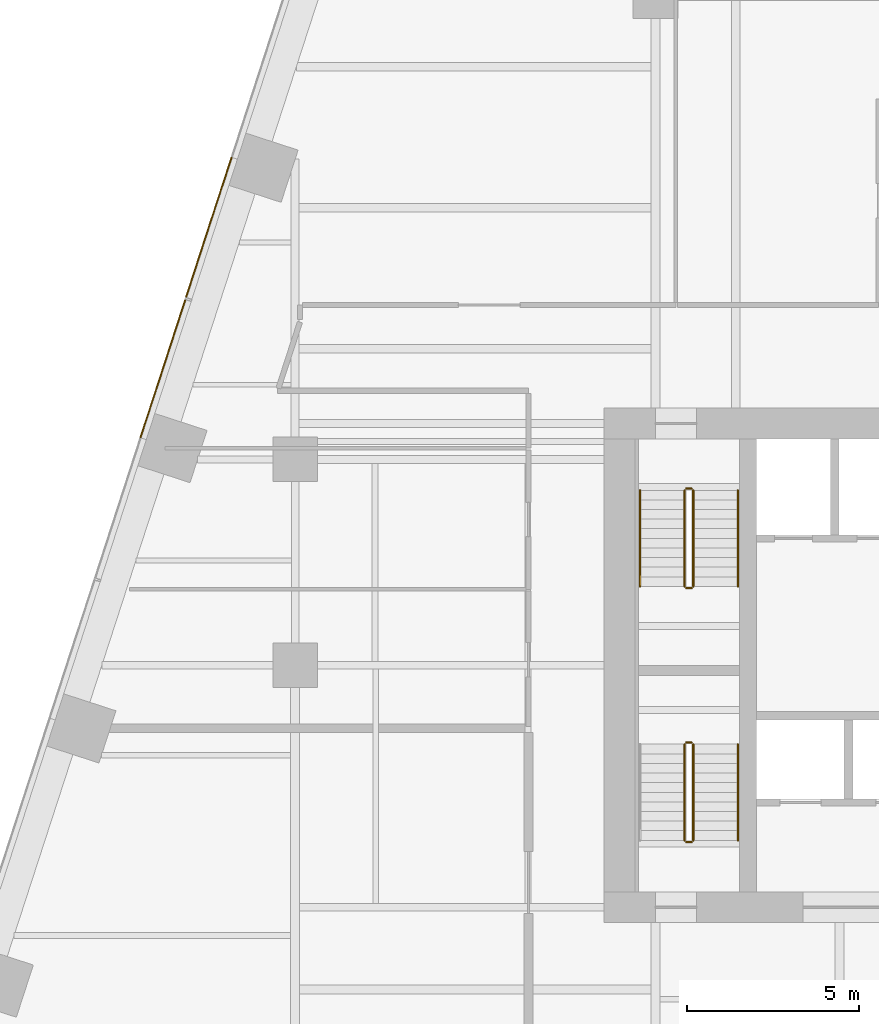
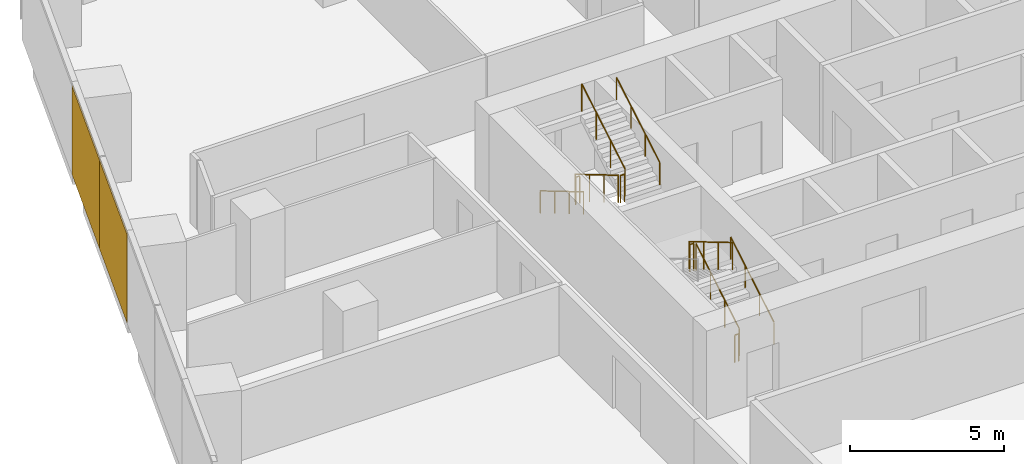
# One storey, part 18 of 19: 11 railings, 2 coverings, 1 element without a shape of its own.
"""IFC4 building model written with IfcOpenShell, lengths in metres."""

from ifc_helpers import new_model, si_unit, direction, frame, origin, origin_2d, place, context, subcontext, project, spatial, rectangle, circle, extrude, material, layer, layer_set, type_object, element, aggregate, save


model = new_model("IFC4")

# Units and contexts
model_context = context("Model", 3, precision=1e-05, world=origin(), true_north=direction((0.0, 1.0)))
body_context = subcontext(model_context, "Body", "Model", "MODEL_VIEW")
ifc_project = project(units=[si_unit("LENGTHUNIT", "METRE"), si_unit("AREAUNIT", "SQUARE_METRE"), si_unit("VOLUMEUNIT", "CUBIC_METRE"), si_unit("PLANEANGLEUNIT", "RADIAN"), si_unit("MASSUNIT", "GRAM", prefix="KILO")], contexts=[model_context])

# Site, building, storey
site_placement = place(None, origin())
site = spatial("IfcSite", under=ifc_project, at=site_placement, CompositionType="ELEMENT")
building_placement = place(site_placement, origin())
building = spatial("IfcBuilding", under=site, at=building_placement, Name="Isthmus Gate Tower", CompositionType="ELEMENT")
storey_placement = place(building_placement, frame((0.0, 0.0, 91.60009765625)))
storey = spatial("IfcBuildingStorey", under=building, at=storey_placement, Name="L21", CompositionType="ELEMENT", Elevation=91.60009765625)

# Curtain wall, coverings
ifc_material_1 = material(Name="Aluminium, pale champagne anodised", Category="aluminium")
ifc_layer_1 = layer(ifc_material_1, 0.199951171875)
ifc_layer_set_1 = layer_set([ifc_layer_1], Name="CW-1 UNITISED CURTAIN WALL 200 DEEP")
curtain_wall_type = type_object("IfcCurtainWallType", Name="CW-1 UNITISED CURTAIN WALL 200 DEEP", PredefinedType="NOTDEFINED", material=ifc_layer_set_1)
curtain_wall_placement = place(storey_placement, origin())
curtain_wall = element("IfcCurtainWall", 1, at=curtain_wall_placement, inside=storey, type_object=curtain_wall_type, Name="CW-1 NW L21", PredefinedType="NOTDEFINED")
ifc_material_2 = material(Name="Aluminium composite panel, pale champagne anodised", Category="aluminium")
ifc_layer_2 = layer(ifc_material_2, 0.0400390625)
ifc_layer_set_2 = layer_set([ifc_layer_2], Name="CW-1 PALE METAL PANEL 40")
covering_type = type_object("IfcCoveringType", Name="CW-1 PALE METAL PANEL 40", PredefinedType="CLADDING", material=ifc_layer_set_2)
covering_1_placement = place(storey_placement, frame((-26.51806640625, 20.25927734375, 0.0), z_axis=(0.0, 0.0, 1.0), x_axis=(-0.309016994375, -0.951056516295, 0.0)))
covering_1 = element("IfcCovering", 2, at=covering_1_placement, type_object=covering_type, Name="CW-1 pale metal panel", PredefinedType="CLADDING", context=body_context, shape_type="SweptSolid", body=[
    extrude(rectangle(XDim=4.294677734375, YDim=0.0400390625, at=origin_2d()), origin(), (0.0, 0.0, 1.0), 3.5),
])
covering_2_placement = place(storey_placement, frame((-27.8544921875, 16.146484375, 0.0), z_axis=(0.0, 0.0, 1.0), x_axis=(-0.309016994375, -0.951056516295, 0.0)))
covering_2 = element("IfcCovering", 3, at=covering_2_placement, type_object=covering_type, Name="CW-1 pale metal panel", PredefinedType="CLADDING", context=body_context, shape_type="SweptSolid", body=[
    extrude(rectangle(XDim=4.234619140625, YDim=0.0400390625, at=origin_2d()), origin(), (0.0, 0.0, 1.0), 3.5),
])
aggregate(curtain_wall, [covering_1, covering_2])

# Railings
ifc_material_3 = material(Name="Stainless steel balustrade", Category="steel")
railing_type_1 = type_object("IfcRailingType", Name="STAIR GUARD 1100", PredefinedType="GUARDRAIL", material=ifc_material_3)
railing_1_placement = place(storey_placement, frame((-12.64990234375, 12.60009765625, 0.165771484375)))
element("IfcRailing", 4, at=railing_1_placement, inside=storey, type_object=railing_type_1, Name="L21 ST1 stair guard 1", PredefinedType="GUARDRAIL", context=body_context, shape_type="SweptSolid", body=[
    extrude(circle(Radius=0.02392578125, at=origin_2d()), frame((0.0, 0.0, 1.076171875), z_axis=(0.0, -0.860306154799, 0.50977771628), x_axis=(1.0, 0.0, 0.0)), (0.0, 0.0, 1.0), 3.254638671875),
    extrude(circle(Radius=0.02099609375, at=origin_2d()), origin(), (0.0, 0.0, 1.0), 1.052001953125),
    extrude(circle(Radius=0.02099609375, at=origin_2d()), frame((0.0, -0.933349609375, 0.552978515625)), (0.0, 0.0, 1.0), 1.052001953125),
    extrude(circle(Radius=0.02099609375, at=origin_2d()), frame((0.0, -1.86669921875, 1.106201171875)), (0.0, 0.0, 1.0), 1.052001953125),
    extrude(circle(Radius=0.02099609375, at=origin_2d()), frame((0.0, -2.800048828125, 1.6591796875)), (0.0, 0.0, 1.0), 1.052001953125),
])
railing_2_placement = place(storey_placement, frame((-12.60009765625, 9.75, 1.824951171875)))
element("IfcRailing", 5, at=railing_2_placement, inside=storey, type_object=railing_type_1, Name="L21 ST1 stair guard 2", PredefinedType="GUARDRAIL", context=body_context, shape_type="SweptSolid", body=[
    extrude(circle(Radius=0.02392578125, at=origin_2d()), frame((0.0, 0.0, 1.076171875), z_axis=(1.0, 0.0, 0.0), x_axis=(0.0, 1.0, 0.0)), (0.0, 0.0, 1.0), 0.150146484375),
    extrude(circle(Radius=0.02099609375, at=origin_2d()), origin(), (0.0, 0.0, 1.0), 1.052001953125),
    extrude(circle(Radius=0.02099609375, at=origin_2d()), frame((0.150146484375, 0.0, 0.0)), (0.0, 0.0, 1.0), 1.052001953125),
])
railing_3_placement = place(storey_placement, frame((-12.39990234375, 9.800048828125, 1.99072265625)))
element("IfcRailing", 6, at=railing_3_placement, inside=storey, type_object=railing_type_1, Name="L21 ST1 stair guard 3", PredefinedType="GUARDRAIL", context=body_context, shape_type="SweptSolid", body=[
    extrude(circle(Radius=0.02392578125, at=origin_2d()), frame((0.0, 0.0, 1.076171875), z_axis=(0.0, 0.860306154799, 0.50977771628), x_axis=(-1.0, 0.0, 0.0)), (0.0, 0.0, 1.0), 3.254638671875),
    extrude(circle(Radius=0.02099609375, at=origin_2d()), origin(), (0.0, 0.0, 1.0), 1.052001953125),
    extrude(circle(Radius=0.02099609375, at=origin_2d()), frame((0.0, 0.933349609375, 0.552978515625)), (0.0, 0.0, 1.0), 1.052001953125),
    extrude(circle(Radius=0.02099609375, at=origin_2d()), frame((0.0, 1.86669921875, 1.106201171875)), (0.0, 0.0, 1.0), 1.052001953125),
    extrude(circle(Radius=0.02099609375, at=origin_2d()), frame((0.0, 2.800048828125, 1.6591796875)), (0.0, 0.0, 1.0), 1.052001953125),
])
railing_4_placement = place(storey_placement, frame((-12.60009765625, 12.64990234375, 0.0)))
element("IfcRailing", 7, at=railing_4_placement, inside=storey, type_object=railing_type_1, Name="L21 ST1 stair guard 4", PredefinedType="GUARDRAIL", context=body_context, shape_type="SweptSolid", body=[
    extrude(circle(Radius=0.02392578125, at=origin_2d()), frame((0.0, 0.0, 1.076171875), z_axis=(1.0, 0.0, 0.0), x_axis=(0.0, 1.0, 0.0)), (0.0, 0.0, 1.0), 0.150146484375),
    extrude(circle(Radius=0.02099609375, at=origin_2d()), origin(), (0.0, 0.0, 1.0), 1.052001953125),
    extrude(circle(Radius=0.02099609375, at=origin_2d()), frame((0.150146484375, 0.0, 0.0)), (0.0, 0.0, 1.0), 1.052001953125),
])
railing_5_placement = place(storey_placement, frame((-12.39990234375, 2.39990234375, 0.165771484375)))
element("IfcRailing", 8, at=railing_5_placement, inside=storey, type_object=railing_type_1, Name="L21 ST7 stair guard 1", PredefinedType="GUARDRAIL", context=body_context, shape_type="SweptSolid", body=[
    extrude(circle(Radius=0.02392578125, at=origin_2d()), frame((0.0, 0.0, 1.076171875), z_axis=(0.0, 0.860306154799, 0.50977771628), x_axis=(-1.0, 0.0, 0.0)), (0.0, 0.0, 1.0), 3.254638671875),
    extrude(circle(Radius=0.02099609375, at=origin_2d()), origin(), (0.0, 0.0, 1.0), 1.052001953125),
    extrude(circle(Radius=0.02099609375, at=origin_2d()), frame((0.0, 0.933349609375, 0.552978515625)), (0.0, 0.0, 1.0), 1.052001953125),
    extrude(circle(Radius=0.02099609375, at=origin_2d()), frame((0.0, 1.86669921875, 1.106201171875)), (0.0, 0.0, 1.0), 1.052001953125),
    extrude(circle(Radius=0.02099609375, at=origin_2d()), frame((0.0, 2.800048828125, 1.6591796875)), (0.0, 0.0, 1.0), 1.052001953125),
])
railing_6_placement = place(storey_placement, frame((-12.449951171875, 5.25, 1.824951171875)))
element("IfcRailing", 9, at=railing_6_placement, inside=storey, type_object=railing_type_1, Name="L21 ST7 stair guard 2", PredefinedType="GUARDRAIL", context=body_context, shape_type="SweptSolid", body=[
    extrude(circle(Radius=0.02392578125, at=origin_2d()), frame((0.0, 0.0, 1.076171875), z_axis=(-1.0, 0.0, 0.0), x_axis=(0.0, -1.0, 0.0)), (0.0, 0.0, 1.0), 0.150146484375),
    extrude(circle(Radius=0.02099609375, at=origin_2d()), origin(), (0.0, 0.0, 1.0), 1.052001953125),
    extrude(circle(Radius=0.02099609375, at=origin_2d()), frame((-0.150146484375, 0.0, 0.0)), (0.0, 0.0, 1.0), 1.052001953125),
])
railing_7_placement = place(storey_placement, frame((-12.64990234375, 5.199951171875, 1.99072265625)))
element("IfcRailing", 10, at=railing_7_placement, inside=storey, type_object=railing_type_1, Name="L21 ST7 stair guard 3", PredefinedType="GUARDRAIL", context=body_context, shape_type="SweptSolid", body=[
    extrude(circle(Radius=0.02392578125, at=origin_2d()), frame((0.0, 0.0, 1.076171875), z_axis=(0.0, -0.860306154799, 0.50977771628), x_axis=(1.0, 0.0, 0.0)), (0.0, 0.0, 1.0), 3.254638671875),
    extrude(circle(Radius=0.02099609375, at=origin_2d()), origin(), (0.0, 0.0, 1.0), 1.052001953125),
    extrude(circle(Radius=0.02099609375, at=origin_2d()), frame((0.0, -0.933349609375, 0.552978515625)), (0.0, 0.0, 1.0), 1.052001953125),
    extrude(circle(Radius=0.02099609375, at=origin_2d()), frame((0.0, -1.86669921875, 1.106201171875)), (0.0, 0.0, 1.0), 1.052001953125),
    extrude(circle(Radius=0.02099609375, at=origin_2d()), frame((0.0, -2.800048828125, 1.6591796875)), (0.0, 0.0, 1.0), 1.052001953125),
])
railing_8_placement = place(storey_placement, frame((-12.449951171875, 2.35009765625, 0.0)))
element("IfcRailing", 11, at=railing_8_placement, inside=storey, type_object=railing_type_1, Name="L21 ST7 stair guard 4", PredefinedType="GUARDRAIL", context=body_context, shape_type="SweptSolid", body=[
    extrude(circle(Radius=0.02392578125, at=origin_2d()), frame((0.0, 0.0, 1.076171875), z_axis=(-1.0, 0.0, 0.0), x_axis=(0.0, -1.0, 0.0)), (0.0, 0.0, 1.0), 0.150146484375),
    extrude(circle(Radius=0.02099609375, at=origin_2d()), origin(), (0.0, 0.0, 1.0), 1.052001953125),
    extrude(circle(Radius=0.02099609375, at=origin_2d()), frame((-0.150146484375, 0.0, 0.0)), (0.0, 0.0, 1.0), 1.052001953125),
])
ifc_material_4 = material(Name="Stainless steel handrail", Category="steel")
railing_type_2 = type_object("IfcRailingType", Name="STAIR HANDRAIL 900", PredefinedType="HANDRAIL", material=ifc_material_4)
railing_9_placement = place(storey_placement, frame((-13.949951171875, 12.60009765625, 0.165771484375)))
element("IfcRailing", 12, at=railing_9_placement, inside=storey, type_object=railing_type_2, Name="L21 ST1 stair handrail 1", PredefinedType="HANDRAIL", context=body_context, shape_type="SweptSolid", body=[
    extrude(circle(Radius=0.02392578125, at=origin_2d()), frame((0.0, 0.0, 0.8759765625), z_axis=(0.0, -0.860306154799, 0.50977771628), x_axis=(1.0, 0.0, 0.0)), (0.0, 0.0, 1.0), 3.254638671875),
    extrude(circle(Radius=0.02099609375, at=origin_2d()), origin(), (0.0, 0.0, 1.0), 0.851806640625),
    extrude(circle(Radius=0.02099609375, at=origin_2d()), frame((0.0, -0.933349609375, 0.552978515625)), (0.0, 0.0, 1.0), 0.851806640625),
    extrude(circle(Radius=0.02099609375, at=origin_2d()), frame((0.0, -1.86669921875, 1.106201171875)), (0.0, 0.0, 1.0), 0.851806640625),
    extrude(circle(Radius=0.02099609375, at=origin_2d()), frame((0.0, -2.800048828125, 1.6591796875)), (0.0, 0.0, 1.0), 0.851806640625),
])
for number, where, name in (
    (13, (-11.10009765625, 9.800048828125, 1.99072265625), "L21 ST1 stair handrail 2"),
    (14, (-11.10009765625, 2.39990234375, 0.165771484375), "L21 ST7 stair handrail 1"),
):
    element("IfcRailing", number, at=place(storey_placement, frame(where)), inside=storey, type_object=railing_type_2, Name=name, PredefinedType="HANDRAIL", context=body_context, shape_type="SweptSolid", body=[
        extrude(circle(Radius=0.02392578125, at=origin_2d()), frame((0.0, 0.0, 0.8759765625), z_axis=(0.0, 0.860306154799, 0.50977771628), x_axis=(-1.0, 0.0, 0.0)), (0.0, 0.0, 1.0), 3.254638671875),
        extrude(circle(Radius=0.02099609375, at=origin_2d()), origin(), (0.0, 0.0, 1.0), 0.851806640625),
        extrude(circle(Radius=0.02099609375, at=origin_2d()), frame((0.0, 0.933349609375, 0.552978515625)), (0.0, 0.0, 1.0), 0.851806640625),
        extrude(circle(Radius=0.02099609375, at=origin_2d()), frame((0.0, 1.86669921875, 1.106201171875)), (0.0, 0.0, 1.0), 0.851806640625),
        extrude(circle(Radius=0.02099609375, at=origin_2d()), frame((0.0, 2.800048828125, 1.6591796875)), (0.0, 0.0, 1.0), 0.851806640625),
    ])

save(model, "model.ifc")
